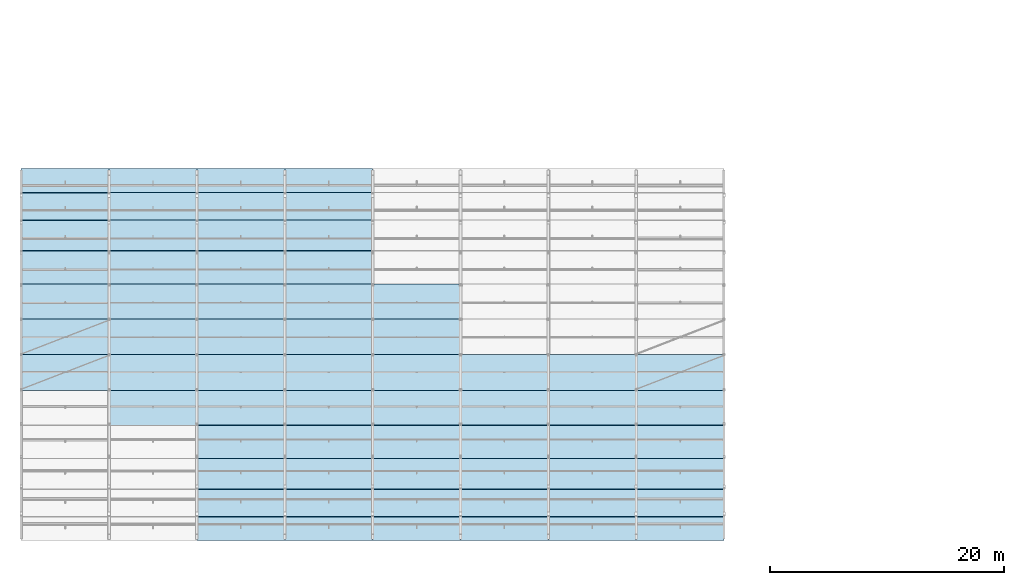
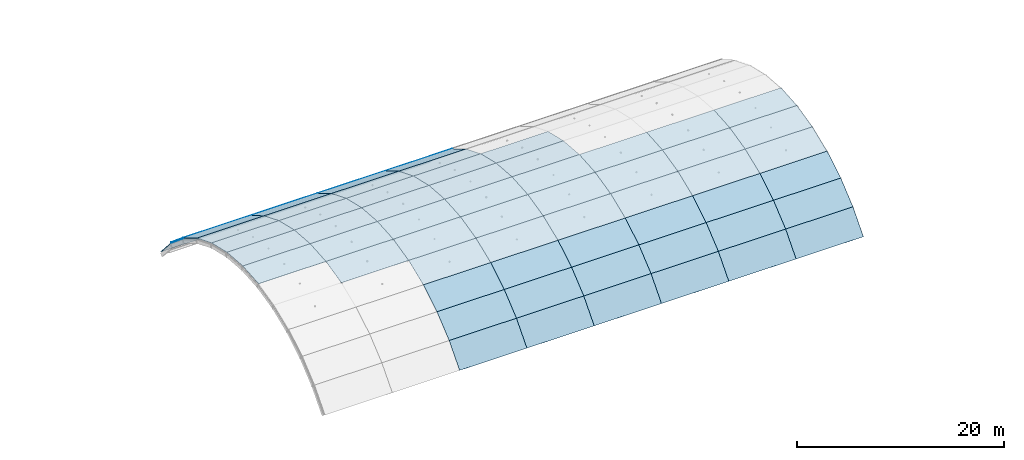
# One storey, part 42 of 77: 65 plates.
"""IFC4 building model written with IfcOpenShell, lengths in metres."""

from ifc_helpers import new_model, si_unit, direction, frame, origin, place, context, subcontext, project, spatial, polyline, outline, extrude, material, layer, layer_set, type_object, element, save


model = new_model("IFC4")

# Units and contexts
model_context = context("Model", 3, precision=1e-05, world=origin(), true_north=direction((0.0, 1.0)))
body_context = subcontext(model_context, "Body", "Model", "MODEL_VIEW")
ifc_project = project(units=[si_unit("LENGTHUNIT", "METRE"), si_unit("AREAUNIT", "SQUARE_METRE"), si_unit("VOLUMEUNIT", "CUBIC_METRE"), si_unit("PLANEANGLEUNIT", "RADIAN"), si_unit("MASSUNIT", "GRAM", prefix="KILO")], contexts=[model_context])

# Site, building, storey
site_placement = place(None, origin())
site = spatial("IfcSite", under=ifc_project, at=site_placement, CompositionType="ELEMENT")
building_placement = place(site_placement, origin())
building = spatial("IfcBuilding", under=site, at=building_placement, Name="Yukiwa Park Conservatory and Herbarium", CompositionType="ELEMENT")
storey_placement = place(building_placement, frame((0.0, 0.0, 13.199951171875)))
storey = spatial("IfcBuildingStorey", under=building, at=storey_placement, Name="L03", CompositionType="ELEMENT", Elevation=13.199951171875)

# Plates
ifc_material_1 = material(Name="Laminated Tempered Safety Glass", Category="glass")
ifc_layer_1 = layer(ifc_material_1, 0.031982421875)
ifc_layer_set_1 = layer_set([ifc_layer_1], Name="Laminated Tempered Safety Glass")
plate_type_1 = type_object("IfcPlateType", Name="PL-VAULT-GLASS-32", PredefinedType="SHEET", material=ifc_layer_set_1)
plate_1_placement = place(storey_placement, frame((7.5, 9.564697265625, 2.999755859375), z_axis=(0.0, -0.229781150018, 0.973242324962), x_axis=(1.0, 0.0, 0.0)))
element("IfcPlate", 1, at=plate_1_placement, inside=storey, type_object=plate_type_1, Name="Conservatory Barrel Vault Glazed Roof Panel 2.5", PredefinedType="SHEET", context=body_context, shape_type="SweptSolid", body=[
    extrude(outline(polyline([(0.0, 0.0), (7.5, 0.0), (7.5, 3.0631643275406226), (0.0, 3.0631643275406226), (0.0, 0.0)])), origin(), (0.0, 0.0, -1.0), 0.031982421875),
])
plate_2_placement = place(storey_placement, frame((7.5, 12.5458984375, 3.70361328125), z_axis=(0.0, -0.077147486921, 0.997019691512), x_axis=(1.0, 0.0, 0.0)))
element("IfcPlate", 2, at=plate_2_placement, inside=storey, type_object=plate_type_1, Name="Conservatory Barrel Vault Glazed Roof Panel 2.6", PredefinedType="SHEET", context=body_context, shape_type="SweptSolid", body=[
    extrude(outline(polyline([(0.0, 0.0), (7.5, 0.0), (7.5, 3.063328883825425), (0.0, 3.063328883825425), (0.0, 0.0)])), origin(), (0.0, 0.0, -1.0), 0.031982421875),
])
plate_3_placement = place(storey_placement, frame((7.5, 15.60009765625, 3.93994140625), z_axis=(0.0, 0.077153617569, 0.997019217115), x_axis=(1.0, 0.0, 0.0)))
element("IfcPlate", 3, at=plate_3_placement, inside=storey, type_object=plate_type_1, Name="Conservatory Barrel Vault Glazed Roof Panel 2.7", PredefinedType="SHEET", context=body_context, shape_type="SweptSolid", body=[
    extrude(outline(polyline([(0.0, 0.0), (7.5, 0.0), (7.5, 3.0630854708727098), (0.0, 3.0630854708727098), (0.0, 0.0)])), origin(), (0.0, 0.0, -1.0), 0.031982421875),
])
plate_4_placement = place(storey_placement, frame((7.5, 18.654052734375, 3.70361328125), z_axis=(0.0, 0.229781150018, 0.973242324962), x_axis=(1.0, 0.0, 0.0)))
element("IfcPlate", 4, at=plate_4_placement, inside=storey, type_object=plate_type_1, Name="Conservatory Barrel Vault Glazed Roof Panel 2.8", PredefinedType="SHEET", context=body_context, shape_type="SweptSolid", body=[
    extrude(outline(polyline([(0.0, 0.0), (7.5, 0.0), (7.5, 3.0631643275406226), (0.0, 3.0631643275406226), (0.0, 0.0)])), origin(), (0.0, 0.0, -1.0), 0.031982421875),
])
plate_5_placement = place(storey_placement, frame((7.5, 21.63525390625, 2.999755859375), z_axis=(0.0, 0.376825946755, 0.926284084853), x_axis=(1.0, 0.0, 0.0)))
element("IfcPlate", 5, at=plate_5_placement, inside=storey, type_object=plate_type_1, Name="Conservatory Barrel Vault Glazed Roof Panel 2.9", PredefinedType="SHEET", context=body_context, shape_type="SweptSolid", body=[
    extrude(outline(polyline([(0.0, 0.0), (7.5, 0.0), (7.5, 3.063209646098804), (0.0, 3.063209646098804), (0.0, 0.0)])), origin(), (0.0, 0.0, -1.0), 0.031982421875),
])
plate_6_placement = place(storey_placement, frame((7.5, 24.47265625, 1.845458984375), z_axis=(0.0, 0.514929340992, 0.857232625246), x_axis=(1.0, 0.0, 0.0)))
element("IfcPlate", 6, at=plate_6_placement, inside=storey, type_object=plate_type_1, Name="Conservatory Barrel Vault Glazed Roof Panel 2.10", PredefinedType="SHEET", context=body_context, shape_type="SweptSolid", body=[
    extrude(outline(polyline([(0.0, 0.0), (7.5, 0.0), (7.5, 3.063318503244994), (0.0, 3.063318503244994), (0.0, 0.0)])), origin(), (0.0, 0.0, -1.0), 0.031982421875),
])
plate_7_placement = place(storey_placement, frame((7.5, 27.0986328125, 0.26806640625), z_axis=(0.0, 0.640725169959, 0.767770314991), x_axis=(1.0, 0.0, 0.0)))
element("IfcPlate", 7, at=plate_7_placement, inside=storey, type_object=plate_type_1, Name="Conservatory Barrel Vault Glazed Roof Panel 2.11", PredefinedType="SHEET", context=body_context, shape_type="SweptSolid", body=[
    extrude(outline(polyline([(0.0, 0.0), (7.5, 0.0), (7.5, 3.0631643275406226), (0.0, 3.0631643275406226), (0.0, 0.0)])), origin(), (0.0, 0.0, -1.0), 0.031982421875),
])
for number, where, z_axis, x_axis, name in (
    (8, (7.5, 29.450439453125, -1.694580078125), (0.0, 0.75130141371, 0.659959230375), (1.0, 0.0, 0.0), "Conservatory Barrel Vault Glazed Roof Panel 2.12"),
    (9, (15.0, -0.27197265625, -3.995849609375), (0.0, -0.75130141371, 0.659959230375), (1.0, 0.0, 0.0), "Conservatory Barrel Vault Glazed Roof Panel 3.1"),
):
    element("IfcPlate", number, at=place(storey_placement, frame(where, z_axis=z_axis, x_axis=x_axis)), inside=storey, type_object=plate_type_1, Name=name, PredefinedType="SHEET", context=body_context, shape_type="SweptSolid", body=[
        extrude(outline(polyline([(0.0, 0.0), (7.5, 0.0), (7.5, 3.0630443244962575), (0.0, 3.0630443244962575), (0.0, 0.0)])), origin(), (0.0, 0.0, -1.0), 0.031982421875),
    ])
plate_8_placement = place(storey_placement, frame((15.0, 1.74951171875, -1.694580078125), z_axis=(0.0, -0.640725169959, 0.767770314991), x_axis=(1.0, 0.0, 0.0)))
element("IfcPlate", 10, at=plate_8_placement, inside=storey, type_object=plate_type_1, Name="Conservatory Barrel Vault Glazed Roof Panel 3.2", PredefinedType="SHEET", context=body_context, shape_type="SweptSolid", body=[
    extrude(outline(polyline([(0.0, 0.0), (7.5, 0.0), (7.5, 3.0631643275406226), (0.0, 3.0631643275406226), (0.0, 0.0)])), origin(), (0.0, 0.0, -1.0), 0.031982421875),
])
plate_9_placement = place(storey_placement, frame((15.0, 4.101318359375, 0.26806640625), z_axis=(0.0, -0.514929340992, 0.857232625246), x_axis=(1.0, 0.0, 0.0)))
element("IfcPlate", 11, at=plate_9_placement, inside=storey, type_object=plate_type_1, Name="Conservatory Barrel Vault Glazed Roof Panel 3.3", PredefinedType="SHEET", context=body_context, shape_type="SweptSolid", body=[
    extrude(outline(polyline([(0.0, 0.0), (7.5, 0.0), (7.5, 3.063318503244994), (0.0, 3.063318503244994), (0.0, 0.0)])), origin(), (0.0, 0.0, -1.0), 0.031982421875),
])
plate_10_placement = place(storey_placement, frame((15.0, 6.727294921875, 1.845458984375), z_axis=(0.0, -0.376825946755, 0.926284084853), x_axis=(1.0, 0.0, 0.0)))
element("IfcPlate", 12, at=plate_10_placement, inside=storey, type_object=plate_type_1, Name="Conservatory Barrel Vault Glazed Roof Panel 3.4", PredefinedType="SHEET", context=body_context, shape_type="SweptSolid", body=[
    extrude(outline(polyline([(0.0, 0.0), (7.5, 0.0), (7.5, 3.063209646098804), (0.0, 3.063209646098804), (0.0, 0.0)])), origin(), (0.0, 0.0, -1.0), 0.031982421875),
])
plate_11_placement = place(storey_placement, frame((15.0, 9.564697265625, 2.999755859375), z_axis=(0.0, -0.229781150018, 0.973242324962), x_axis=(1.0, 0.0, 0.0)))
element("IfcPlate", 13, at=plate_11_placement, inside=storey, type_object=plate_type_1, Name="Conservatory Barrel Vault Glazed Roof Panel 3.5", PredefinedType="SHEET", context=body_context, shape_type="SweptSolid", body=[
    extrude(outline(polyline([(0.0, 0.0), (7.5, 0.0), (7.5, 3.0631643275406226), (0.0, 3.0631643275406226), (0.0, 0.0)])), origin(), (0.0, 0.0, -1.0), 0.031982421875),
])
plate_12_placement = place(storey_placement, frame((15.0, 12.5458984375, 3.70361328125), z_axis=(0.0, -0.077147486921, 0.997019691512), x_axis=(1.0, 0.0, 0.0)))
element("IfcPlate", 14, at=plate_12_placement, inside=storey, type_object=plate_type_1, Name="Conservatory Barrel Vault Glazed Roof Panel 3.6", PredefinedType="SHEET", context=body_context, shape_type="SweptSolid", body=[
    extrude(outline(polyline([(0.0, 0.0), (7.5, 0.0), (7.5, 3.063328883825425), (0.0, 3.063328883825425), (0.0, 0.0)])), origin(), (0.0, 0.0, -1.0), 0.031982421875),
])
plate_13_placement = place(storey_placement, frame((15.0, 15.60009765625, 3.93994140625), z_axis=(0.0, 0.077153617569, 0.997019217115), x_axis=(1.0, 0.0, 0.0)))
element("IfcPlate", 15, at=plate_13_placement, inside=storey, type_object=plate_type_1, Name="Conservatory Barrel Vault Glazed Roof Panel 3.7", PredefinedType="SHEET", context=body_context, shape_type="SweptSolid", body=[
    extrude(outline(polyline([(0.0, 0.0), (7.5, 0.0), (7.5, 3.0630854708727098), (0.0, 3.0630854708727098), (0.0, 0.0)])), origin(), (0.0, 0.0, -1.0), 0.031982421875),
])
plate_14_placement = place(storey_placement, frame((15.0, 18.654052734375, 3.70361328125), z_axis=(0.0, 0.229781150018, 0.973242324962), x_axis=(1.0, 0.0, 0.0)))
element("IfcPlate", 16, at=plate_14_placement, inside=storey, type_object=plate_type_1, Name="Conservatory Barrel Vault Glazed Roof Panel 3.8", PredefinedType="SHEET", context=body_context, shape_type="SweptSolid", body=[
    extrude(outline(polyline([(0.0, 0.0), (7.5, 0.0), (7.5, 3.0631643275406226), (0.0, 3.0631643275406226), (0.0, 0.0)])), origin(), (0.0, 0.0, -1.0), 0.031982421875),
])
plate_15_placement = place(storey_placement, frame((15.0, 21.63525390625, 2.999755859375), z_axis=(0.0, 0.376825946755, 0.926284084853), x_axis=(1.0, 0.0, 0.0)))
element("IfcPlate", 17, at=plate_15_placement, inside=storey, type_object=plate_type_1, Name="Conservatory Barrel Vault Glazed Roof Panel 3.9", PredefinedType="SHEET", context=body_context, shape_type="SweptSolid", body=[
    extrude(outline(polyline([(0.0, 0.0), (7.5, 0.0), (7.5, 3.063209646098804), (0.0, 3.063209646098804), (0.0, 0.0)])), origin(), (0.0, 0.0, -1.0), 0.031982421875),
])
plate_16_placement = place(storey_placement, frame((15.0, 24.47265625, 1.845458984375), z_axis=(0.0, 0.514929340992, 0.857232625246), x_axis=(1.0, 0.0, 0.0)))
element("IfcPlate", 18, at=plate_16_placement, inside=storey, type_object=plate_type_1, Name="Conservatory Barrel Vault Glazed Roof Panel 3.10", PredefinedType="SHEET", context=body_context, shape_type="SweptSolid", body=[
    extrude(outline(polyline([(0.0, 0.0), (7.5, 0.0), (7.5, 3.063318503244994), (0.0, 3.063318503244994), (0.0, 0.0)])), origin(), (0.0, 0.0, -1.0), 0.031982421875),
])
plate_17_placement = place(storey_placement, frame((15.0, 27.0986328125, 0.26806640625), z_axis=(0.0, 0.640725169959, 0.767770314991), x_axis=(1.0, 0.0, 0.0)))
element("IfcPlate", 19, at=plate_17_placement, inside=storey, type_object=plate_type_1, Name="Conservatory Barrel Vault Glazed Roof Panel 3.11", PredefinedType="SHEET", context=body_context, shape_type="SweptSolid", body=[
    extrude(outline(polyline([(0.0, 0.0), (7.5, 0.0), (7.5, 3.0631643275406226), (0.0, 3.0631643275406226), (0.0, 0.0)])), origin(), (0.0, 0.0, -1.0), 0.031982421875),
])
for number, where, z_axis, x_axis, name in (
    (20, (15.0, 29.450439453125, -1.694580078125), (0.0, 0.75130141371, 0.659959230375), (1.0, 0.0, 0.0), "Conservatory Barrel Vault Glazed Roof Panel 3.12"),
    (21, (22.5, -0.27197265625, -3.995849609375), (0.0, -0.75130141371, 0.659959230375), (1.0, 0.0, 0.0), "Conservatory Barrel Vault Glazed Roof Panel 4.1"),
):
    element("IfcPlate", number, at=place(storey_placement, frame(where, z_axis=z_axis, x_axis=x_axis)), inside=storey, type_object=plate_type_1, Name=name, PredefinedType="SHEET", context=body_context, shape_type="SweptSolid", body=[
        extrude(outline(polyline([(0.0, 0.0), (7.5, 0.0), (7.5, 3.0630443244962575), (0.0, 3.0630443244962575), (0.0, 0.0)])), origin(), (0.0, 0.0, -1.0), 0.031982421875),
    ])
plate_18_placement = place(storey_placement, frame((22.5, 1.74951171875, -1.694580078125), z_axis=(0.0, -0.640725169959, 0.767770314991), x_axis=(1.0, 0.0, 0.0)))
element("IfcPlate", 22, at=plate_18_placement, inside=storey, type_object=plate_type_1, Name="Conservatory Barrel Vault Glazed Roof Panel 4.2", PredefinedType="SHEET", context=body_context, shape_type="SweptSolid", body=[
    extrude(outline(polyline([(0.0, 0.0), (7.5, 0.0), (7.5, 3.0631643275406226), (0.0, 3.0631643275406226), (0.0, 0.0)])), origin(), (0.0, 0.0, -1.0), 0.031982421875),
])
plate_19_placement = place(storey_placement, frame((22.5, 4.101318359375, 0.26806640625), z_axis=(0.0, -0.514929340992, 0.857232625246), x_axis=(1.0, 0.0, 0.0)))
element("IfcPlate", 23, at=plate_19_placement, inside=storey, type_object=plate_type_1, Name="Conservatory Barrel Vault Glazed Roof Panel 4.3", PredefinedType="SHEET", context=body_context, shape_type="SweptSolid", body=[
    extrude(outline(polyline([(0.0, 0.0), (7.5, 0.0), (7.5, 3.063318503244994), (0.0, 3.063318503244994), (0.0, 0.0)])), origin(), (0.0, 0.0, -1.0), 0.031982421875),
])
plate_20_placement = place(storey_placement, frame((22.5, 6.727294921875, 1.845458984375), z_axis=(0.0, -0.376825946755, 0.926284084853), x_axis=(1.0, 0.0, 0.0)))
element("IfcPlate", 24, at=plate_20_placement, inside=storey, type_object=plate_type_1, Name="Conservatory Barrel Vault Glazed Roof Panel 4.4", PredefinedType="SHEET", context=body_context, shape_type="SweptSolid", body=[
    extrude(outline(polyline([(0.0, 0.0), (7.5, 0.0), (7.5, 3.063209646098804), (0.0, 3.063209646098804), (0.0, 0.0)])), origin(), (0.0, 0.0, -1.0), 0.031982421875),
])
plate_21_placement = place(storey_placement, frame((22.5, 9.564697265625, 2.999755859375), z_axis=(0.0, -0.229781150018, 0.973242324962), x_axis=(1.0, 0.0, 0.0)))
element("IfcPlate", 25, at=plate_21_placement, inside=storey, type_object=plate_type_1, Name="Conservatory Barrel Vault Glazed Roof Panel 4.5", PredefinedType="SHEET", context=body_context, shape_type="SweptSolid", body=[
    extrude(outline(polyline([(0.0, 0.0), (7.5, 0.0), (7.5, 3.0631643275406226), (0.0, 3.0631643275406226), (0.0, 0.0)])), origin(), (0.0, 0.0, -1.0), 0.031982421875),
])
plate_22_placement = place(storey_placement, frame((22.5, 12.5458984375, 3.70361328125), z_axis=(0.0, -0.077147486921, 0.997019691512), x_axis=(1.0, 0.0, 0.0)))
element("IfcPlate", 26, at=plate_22_placement, inside=storey, type_object=plate_type_1, Name="Conservatory Barrel Vault Glazed Roof Panel 4.6", PredefinedType="SHEET", context=body_context, shape_type="SweptSolid", body=[
    extrude(outline(polyline([(0.0, 0.0), (7.5, 0.0), (7.5, 3.063328883825425), (0.0, 3.063328883825425), (0.0, 0.0)])), origin(), (0.0, 0.0, -1.0), 0.031982421875),
])
plate_23_placement = place(storey_placement, frame((22.5, 15.60009765625, 3.93994140625), z_axis=(0.0, 0.077153617569, 0.997019217115), x_axis=(1.0, 0.0, 0.0)))
element("IfcPlate", 27, at=plate_23_placement, inside=storey, type_object=plate_type_1, Name="Conservatory Barrel Vault Glazed Roof Panel 4.7", PredefinedType="SHEET", context=body_context, shape_type="SweptSolid", body=[
    extrude(outline(polyline([(0.0, 0.0), (7.5, 0.0), (7.5, 3.0630854708727098), (0.0, 3.0630854708727098), (0.0, 0.0)])), origin(), (0.0, 0.0, -1.0), 0.031982421875),
])
plate_24_placement = place(storey_placement, frame((22.5, 18.654052734375, 3.70361328125), z_axis=(0.0, 0.229781150018, 0.973242324962), x_axis=(1.0, 0.0, 0.0)))
element("IfcPlate", 28, at=plate_24_placement, inside=storey, type_object=plate_type_1, Name="Conservatory Barrel Vault Glazed Roof Panel 4.8", PredefinedType="SHEET", context=body_context, shape_type="SweptSolid", body=[
    extrude(outline(polyline([(0.0, 0.0), (7.5, 0.0), (7.5, 3.0631643275406226), (0.0, 3.0631643275406226), (0.0, 0.0)])), origin(), (0.0, 0.0, -1.0), 0.031982421875),
])
plate_25_placement = place(storey_placement, frame((22.5, 21.63525390625, 2.999755859375), z_axis=(0.0, 0.376825946755, 0.926284084853), x_axis=(1.0, 0.0, 0.0)))
element("IfcPlate", 29, at=plate_25_placement, inside=storey, type_object=plate_type_1, Name="Conservatory Barrel Vault Glazed Roof Panel 4.9", PredefinedType="SHEET", context=body_context, shape_type="SweptSolid", body=[
    extrude(outline(polyline([(0.0, 0.0), (7.5, 0.0), (7.5, 3.063209646098804), (0.0, 3.063209646098804), (0.0, 0.0)])), origin(), (0.0, 0.0, -1.0), 0.031982421875),
])
plate_26_placement = place(storey_placement, frame((22.5, 24.47265625, 1.845458984375), z_axis=(0.0, 0.514929340992, 0.857232625246), x_axis=(1.0, 0.0, 0.0)))
element("IfcPlate", 30, at=plate_26_placement, inside=storey, type_object=plate_type_1, Name="Conservatory Barrel Vault Glazed Roof Panel 4.10", PredefinedType="SHEET", context=body_context, shape_type="SweptSolid", body=[
    extrude(outline(polyline([(0.0, 0.0), (7.5, 0.0), (7.5, 3.063318503244994), (0.0, 3.063318503244994), (0.0, 0.0)])), origin(), (0.0, 0.0, -1.0), 0.031982421875),
])
plate_27_placement = place(storey_placement, frame((22.5, 27.0986328125, 0.26806640625), z_axis=(0.0, 0.640725169959, 0.767770314991), x_axis=(1.0, 0.0, 0.0)))
element("IfcPlate", 31, at=plate_27_placement, inside=storey, type_object=plate_type_1, Name="Conservatory Barrel Vault Glazed Roof Panel 4.11", PredefinedType="SHEET", context=body_context, shape_type="SweptSolid", body=[
    extrude(outline(polyline([(0.0, 0.0), (7.5, 0.0), (7.5, 3.0631643275406226), (0.0, 3.0631643275406226), (0.0, 0.0)])), origin(), (0.0, 0.0, -1.0), 0.031982421875),
])
for number, where, z_axis, x_axis, name in (
    (32, (22.5, 29.450439453125, -1.694580078125), (0.0, 0.75130141371, 0.659959230375), (1.0, 0.0, 0.0), "Conservatory Barrel Vault Glazed Roof Panel 4.12"),
    (33, (30.0, -0.27197265625, -3.995849609375), (0.0, -0.75130141371, 0.659959230375), (1.0, 0.0, 0.0), "Conservatory Barrel Vault Glazed Roof Panel 5.1"),
):
    element("IfcPlate", number, at=place(storey_placement, frame(where, z_axis=z_axis, x_axis=x_axis)), inside=storey, type_object=plate_type_1, Name=name, PredefinedType="SHEET", context=body_context, shape_type="SweptSolid", body=[
        extrude(outline(polyline([(0.0, 0.0), (7.5, 0.0), (7.5, 3.0630443244962575), (0.0, 3.0630443244962575), (0.0, 0.0)])), origin(), (0.0, 0.0, -1.0), 0.031982421875),
    ])
plate_28_placement = place(storey_placement, frame((30.0, 1.74951171875, -1.694580078125), z_axis=(0.0, -0.640725169959, 0.767770314991), x_axis=(1.0, 0.0, 0.0)))
element("IfcPlate", 34, at=plate_28_placement, inside=storey, type_object=plate_type_1, Name="Conservatory Barrel Vault Glazed Roof Panel 5.2", PredefinedType="SHEET", context=body_context, shape_type="SweptSolid", body=[
    extrude(outline(polyline([(0.0, 0.0), (7.5, 0.0), (7.5, 3.0631643275406226), (0.0, 3.0631643275406226), (0.0, 0.0)])), origin(), (0.0, 0.0, -1.0), 0.031982421875),
])
plate_29_placement = place(storey_placement, frame((30.0, 4.101318359375, 0.26806640625), z_axis=(0.0, -0.514929340992, 0.857232625246), x_axis=(1.0, 0.0, 0.0)))
element("IfcPlate", 35, at=plate_29_placement, inside=storey, type_object=plate_type_1, Name="Conservatory Barrel Vault Glazed Roof Panel 5.3", PredefinedType="SHEET", context=body_context, shape_type="SweptSolid", body=[
    extrude(outline(polyline([(0.0, 0.0), (7.5, 0.0), (7.5, 3.063318503244994), (0.0, 3.063318503244994), (0.0, 0.0)])), origin(), (0.0, 0.0, -1.0), 0.031982421875),
])
plate_30_placement = place(storey_placement, frame((30.0, 6.727294921875, 1.845458984375), z_axis=(0.0, -0.376825946755, 0.926284084853), x_axis=(1.0, 0.0, 0.0)))
element("IfcPlate", 36, at=plate_30_placement, inside=storey, type_object=plate_type_1, Name="Conservatory Barrel Vault Glazed Roof Panel 5.4", PredefinedType="SHEET", context=body_context, shape_type="SweptSolid", body=[
    extrude(outline(polyline([(0.0, 0.0), (7.5, 0.0), (7.5, 3.063209646098804), (0.0, 3.063209646098804), (0.0, 0.0)])), origin(), (0.0, 0.0, -1.0), 0.031982421875),
])
plate_31_placement = place(storey_placement, frame((30.0, 9.564697265625, 2.999755859375), z_axis=(0.0, -0.229781150018, 0.973242324962), x_axis=(1.0, 0.0, 0.0)))
element("IfcPlate", 37, at=plate_31_placement, inside=storey, type_object=plate_type_1, Name="Conservatory Barrel Vault Glazed Roof Panel 5.5", PredefinedType="SHEET", context=body_context, shape_type="SweptSolid", body=[
    extrude(outline(polyline([(0.0, 0.0), (7.5, 0.0), (7.5, 3.0631643275406226), (0.0, 3.0631643275406226), (0.0, 0.0)])), origin(), (0.0, 0.0, -1.0), 0.031982421875),
])
plate_32_placement = place(storey_placement, frame((30.0, 12.5458984375, 3.70361328125), z_axis=(0.0, -0.077147486921, 0.997019691512), x_axis=(1.0, 0.0, 0.0)))
element("IfcPlate", 38, at=plate_32_placement, inside=storey, type_object=plate_type_1, Name="Conservatory Barrel Vault Glazed Roof Panel 5.6", PredefinedType="SHEET", context=body_context, shape_type="SweptSolid", body=[
    extrude(outline(polyline([(0.0, 0.0), (7.5, 0.0), (7.5, 3.063328883825425), (0.0, 3.063328883825425), (0.0, 0.0)])), origin(), (0.0, 0.0, -1.0), 0.031982421875),
])
plate_33_placement = place(storey_placement, frame((30.0, 15.60009765625, 3.93994140625), z_axis=(0.0, 0.077153617569, 0.997019217115), x_axis=(1.0, 0.0, 0.0)))
element("IfcPlate", 39, at=plate_33_placement, inside=storey, type_object=plate_type_1, Name="Conservatory Barrel Vault Glazed Roof Panel 5.7", PredefinedType="SHEET", context=body_context, shape_type="SweptSolid", body=[
    extrude(outline(polyline([(0.0, 0.0), (7.5, 0.0), (7.5, 3.0630854708727098), (0.0, 3.0630854708727098), (0.0, 0.0)])), origin(), (0.0, 0.0, -1.0), 0.031982421875),
])
plate_34_placement = place(storey_placement, frame((30.0, 18.654052734375, 3.70361328125), z_axis=(0.0, 0.229781150018, 0.973242324962), x_axis=(1.0, 0.0, 0.0)))
element("IfcPlate", 40, at=plate_34_placement, inside=storey, type_object=plate_type_1, Name="Conservatory Barrel Vault Glazed Roof Panel 5.8", PredefinedType="SHEET", context=body_context, shape_type="SweptSolid", body=[
    extrude(outline(polyline([(0.0, 0.0), (7.5, 0.0), (7.5, 3.0631643275406226), (0.0, 3.0631643275406226), (0.0, 0.0)])), origin(), (0.0, 0.0, -1.0), 0.031982421875),
])
plate_35_placement = place(storey_placement, frame((37.5, -0.27197265625, -3.995849609375), z_axis=(0.0, -0.75130141371, 0.659959230375), x_axis=(1.0, 0.0, 0.0)))
element("IfcPlate", 41, at=plate_35_placement, inside=storey, type_object=plate_type_1, Name="Conservatory Barrel Vault Glazed Roof Panel 6.1", PredefinedType="SHEET", context=body_context, shape_type="SweptSolid", body=[
    extrude(outline(polyline([(0.0, 0.0), (7.5, 0.0), (7.5, 3.0630443244962575), (0.0, 3.0630443244962575), (0.0, 0.0)])), origin(), (0.0, 0.0, -1.0), 0.031982421875),
])
plate_36_placement = place(storey_placement, frame((37.5, 1.74951171875, -1.694580078125), z_axis=(0.0, -0.640725169959, 0.767770314991), x_axis=(1.0, 0.0, 0.0)))
element("IfcPlate", 42, at=plate_36_placement, inside=storey, type_object=plate_type_1, Name="Conservatory Barrel Vault Glazed Roof Panel 6.2", PredefinedType="SHEET", context=body_context, shape_type="SweptSolid", body=[
    extrude(outline(polyline([(0.0, 0.0), (7.5, 0.0), (7.5, 3.0631643275406226), (0.0, 3.0631643275406226), (0.0, 0.0)])), origin(), (0.0, 0.0, -1.0), 0.031982421875),
])
plate_37_placement = place(storey_placement, frame((37.5, 4.101318359375, 0.26806640625), z_axis=(0.0, -0.514929340992, 0.857232625246), x_axis=(1.0, 0.0, 0.0)))
element("IfcPlate", 43, at=plate_37_placement, inside=storey, type_object=plate_type_1, Name="Conservatory Barrel Vault Glazed Roof Panel 6.3", PredefinedType="SHEET", context=body_context, shape_type="SweptSolid", body=[
    extrude(outline(polyline([(0.0, 0.0), (7.5, 0.0), (7.5, 3.063318503244994), (0.0, 3.063318503244994), (0.0, 0.0)])), origin(), (0.0, 0.0, -1.0), 0.031982421875),
])
plate_38_placement = place(storey_placement, frame((37.5, 6.727294921875, 1.845458984375), z_axis=(0.0, -0.376825946755, 0.926284084853), x_axis=(1.0, 0.0, 0.0)))
element("IfcPlate", 44, at=plate_38_placement, inside=storey, type_object=plate_type_1, Name="Conservatory Barrel Vault Glazed Roof Panel 6.4", PredefinedType="SHEET", context=body_context, shape_type="SweptSolid", body=[
    extrude(outline(polyline([(0.0, 0.0), (7.5, 0.0), (7.5, 3.063209646098804), (0.0, 3.063209646098804), (0.0, 0.0)])), origin(), (0.0, 0.0, -1.0), 0.031982421875),
])
plate_39_placement = place(storey_placement, frame((37.5, 9.564697265625, 2.999755859375), z_axis=(0.0, -0.229781150018, 0.973242324962), x_axis=(1.0, 0.0, 0.0)))
element("IfcPlate", 45, at=plate_39_placement, inside=storey, type_object=plate_type_1, Name="Conservatory Barrel Vault Glazed Roof Panel 6.5", PredefinedType="SHEET", context=body_context, shape_type="SweptSolid", body=[
    extrude(outline(polyline([(0.0, 0.0), (7.5, 0.0), (7.5, 3.0631643275406226), (0.0, 3.0631643275406226), (0.0, 0.0)])), origin(), (0.0, 0.0, -1.0), 0.031982421875),
])
plate_40_placement = place(storey_placement, frame((37.5, 12.5458984375, 3.70361328125), z_axis=(0.0, -0.077147486921, 0.997019691512), x_axis=(1.0, 0.0, 0.0)))
element("IfcPlate", 46, at=plate_40_placement, inside=storey, type_object=plate_type_1, Name="Conservatory Barrel Vault Glazed Roof Panel 6.6", PredefinedType="SHEET", context=body_context, shape_type="SweptSolid", body=[
    extrude(outline(polyline([(0.0, 0.0), (7.5, 0.0), (7.5, 3.063328883825425), (0.0, 3.063328883825425), (0.0, 0.0)])), origin(), (0.0, 0.0, -1.0), 0.031982421875),
])
plate_41_placement = place(storey_placement, frame((45.0, -0.27197265625, -3.995849609375), z_axis=(0.0, -0.75130141371, 0.659959230375), x_axis=(1.0, 0.0, 0.0)))
element("IfcPlate", 47, at=plate_41_placement, inside=storey, type_object=plate_type_1, Name="Conservatory Barrel Vault Glazed Roof Panel 7.1", PredefinedType="SHEET", context=body_context, shape_type="SweptSolid", body=[
    extrude(outline(polyline([(0.0, 0.0), (7.5, 0.0), (7.5, 3.0630443244962575), (0.0, 3.0630443244962575), (0.0, 0.0)])), origin(), (0.0, 0.0, -1.0), 0.031982421875),
])
plate_42_placement = place(storey_placement, frame((45.0, 1.74951171875, -1.694580078125), z_axis=(0.0, -0.640725169959, 0.767770314991), x_axis=(1.0, 0.0, 0.0)))
element("IfcPlate", 48, at=plate_42_placement, inside=storey, type_object=plate_type_1, Name="Conservatory Barrel Vault Glazed Roof Panel 7.2", PredefinedType="SHEET", context=body_context, shape_type="SweptSolid", body=[
    extrude(outline(polyline([(0.0, 0.0), (7.5, 0.0), (7.5, 3.0631643275406226), (0.0, 3.0631643275406226), (0.0, 0.0)])), origin(), (0.0, 0.0, -1.0), 0.031982421875),
])
plate_43_placement = place(storey_placement, frame((45.0, 4.101318359375, 0.26806640625), z_axis=(0.0, -0.514929340992, 0.857232625246), x_axis=(1.0, 0.0, 0.0)))
element("IfcPlate", 49, at=plate_43_placement, inside=storey, type_object=plate_type_1, Name="Conservatory Barrel Vault Glazed Roof Panel 7.3", PredefinedType="SHEET", context=body_context, shape_type="SweptSolid", body=[
    extrude(outline(polyline([(0.0, 0.0), (7.5, 0.0), (7.5, 3.063318503244994), (0.0, 3.063318503244994), (0.0, 0.0)])), origin(), (0.0, 0.0, -1.0), 0.031982421875),
])
plate_44_placement = place(storey_placement, frame((45.0, 6.727294921875, 1.845458984375), z_axis=(0.0, -0.376825946755, 0.926284084853), x_axis=(1.0, 0.0, 0.0)))
element("IfcPlate", 50, at=plate_44_placement, inside=storey, type_object=plate_type_1, Name="Conservatory Barrel Vault Glazed Roof Panel 7.4", PredefinedType="SHEET", context=body_context, shape_type="SweptSolid", body=[
    extrude(outline(polyline([(0.0, 0.0), (7.5, 0.0), (7.5, 3.063209646098804), (0.0, 3.063209646098804), (0.0, 0.0)])), origin(), (0.0, 0.0, -1.0), 0.031982421875),
])
plate_45_placement = place(storey_placement, frame((45.0, 9.564697265625, 2.999755859375), z_axis=(0.0, -0.229781150018, 0.973242324962), x_axis=(1.0, 0.0, 0.0)))
element("IfcPlate", 51, at=plate_45_placement, inside=storey, type_object=plate_type_1, Name="Conservatory Barrel Vault Glazed Roof Panel 7.5", PredefinedType="SHEET", context=body_context, shape_type="SweptSolid", body=[
    extrude(outline(polyline([(0.0, 0.0), (7.5, 0.0), (7.5, 3.0631643275406226), (0.0, 3.0631643275406226), (0.0, 0.0)])), origin(), (0.0, 0.0, -1.0), 0.031982421875),
])
plate_46_placement = place(storey_placement, frame((45.0, 12.5458984375, 3.70361328125), z_axis=(0.0, -0.077147486921, 0.997019691512), x_axis=(1.0, 0.0, 0.0)))
element("IfcPlate", 52, at=plate_46_placement, inside=storey, type_object=plate_type_1, Name="Conservatory Barrel Vault Glazed Roof Panel 7.6", PredefinedType="SHEET", context=body_context, shape_type="SweptSolid", body=[
    extrude(outline(polyline([(0.0, 0.0), (7.5, 0.0), (7.5, 3.063328883825425), (0.0, 3.063328883825425), (0.0, 0.0)])), origin(), (0.0, 0.0, -1.0), 0.031982421875),
])
ifc_material_2 = material(Name="Laminated Tempered Safety Glass", Category="glass")
ifc_layer_2 = layer(ifc_material_2, 0.0419921875)
ifc_layer_set_2 = layer_set([ifc_layer_2], Name="Laminated Tempered Safety Glass")
plate_type_2 = type_object("IfcPlateType", Name="PL-VAULT-GLASS-42", PredefinedType="SHEET", material=ifc_layer_set_2)
plate_47_placement = place(storey_placement, frame((0.0, 12.5458984375, 3.70361328125), z_axis=(0.0, -0.077147486921, 0.997019691512), x_axis=(1.0, 0.0, 0.0)))
element("IfcPlate", 53, at=plate_47_placement, inside=storey, type_object=plate_type_2, Name="Conservatory Barrel Vault Glazed Roof Panel 1.6", PredefinedType="SHEET", context=body_context, shape_type="SweptSolid", body=[
    extrude(outline(polyline([(0.0, 0.0), (7.5, 0.0), (7.5, 3.063328883825425), (0.0, 3.063328883825425), (0.0, 0.0)])), origin(), (0.0, 0.0, -1.0), 0.0419921875),
])
plate_48_placement = place(storey_placement, frame((0.0, 15.60009765625, 3.93994140625), z_axis=(0.0, 0.077153617569, 0.997019217115), x_axis=(1.0, 0.0, 0.0)))
element("IfcPlate", 54, at=plate_48_placement, inside=storey, type_object=plate_type_2, Name="Conservatory Barrel Vault Glazed Roof Panel 1.7", PredefinedType="SHEET", context=body_context, shape_type="SweptSolid", body=[
    extrude(outline(polyline([(0.0, 0.0), (7.5, 0.0), (7.5, 3.0630854708727098), (0.0, 3.0630854708727098), (0.0, 0.0)])), origin(), (0.0, 0.0, -1.0), 0.0419921875),
])
plate_49_placement = place(storey_placement, frame((0.0, 18.654052734375, 3.70361328125), z_axis=(0.0, 0.229781150018, 0.973242324962), x_axis=(1.0, 0.0, 0.0)))
element("IfcPlate", 55, at=plate_49_placement, inside=storey, type_object=plate_type_2, Name="Conservatory Barrel Vault Glazed Roof Panel 1.8", PredefinedType="SHEET", context=body_context, shape_type="SweptSolid", body=[
    extrude(outline(polyline([(0.0, 0.0), (7.5, 0.0), (7.5, 3.0631643275406226), (0.0, 3.0631643275406226), (0.0, 0.0)])), origin(), (0.0, 0.0, -1.0), 0.0419921875),
])
plate_50_placement = place(storey_placement, frame((0.0, 21.63525390625, 2.999755859375), z_axis=(0.0, 0.376825946755, 0.926284084853), x_axis=(1.0, 0.0, 0.0)))
element("IfcPlate", 56, at=plate_50_placement, inside=storey, type_object=plate_type_2, Name="Conservatory Barrel Vault Glazed Roof Panel 1.9", PredefinedType="SHEET", context=body_context, shape_type="SweptSolid", body=[
    extrude(outline(polyline([(0.0, 0.0), (7.5, 0.0), (7.5, 3.063209646098804), (0.0, 3.063209646098804), (0.0, 0.0)])), origin(), (0.0, 0.0, -1.0), 0.0419921875),
])
plate_51_placement = place(storey_placement, frame((0.0, 24.47265625, 1.845458984375), z_axis=(0.0, 0.514929340992, 0.857232625246), x_axis=(1.0, 0.0, 0.0)))
element("IfcPlate", 57, at=plate_51_placement, inside=storey, type_object=plate_type_2, Name="Conservatory Barrel Vault Glazed Roof Panel 1.10", PredefinedType="SHEET", context=body_context, shape_type="SweptSolid", body=[
    extrude(outline(polyline([(0.0, 0.0), (7.5, 0.0), (7.5, 3.063318503244994), (0.0, 3.063318503244994), (0.0, 0.0)])), origin(), (0.0, 0.0, -1.0), 0.0419921875),
])
plate_52_placement = place(storey_placement, frame((0.0, 27.0986328125, 0.26806640625), z_axis=(0.0, 0.640725169959, 0.767770314991), x_axis=(1.0, 0.0, 0.0)))
element("IfcPlate", 58, at=plate_52_placement, inside=storey, type_object=plate_type_2, Name="Conservatory Barrel Vault Glazed Roof Panel 1.11", PredefinedType="SHEET", context=body_context, shape_type="SweptSolid", body=[
    extrude(outline(polyline([(0.0, 0.0), (7.5, 0.0), (7.5, 3.0631643275406226), (0.0, 3.0631643275406226), (0.0, 0.0)])), origin(), (0.0, 0.0, -1.0), 0.0419921875),
])
for number, where, z_axis, x_axis, name in (
    (59, (0.0, 29.450439453125, -1.694580078125), (0.0, 0.75130141371, 0.659959230375), (1.0, 0.0, 0.0), "Conservatory Barrel Vault Glazed Roof Panel 1.12"),
    (60, (52.5, -0.27197265625, -3.995849609375), (0.0, -0.75130141371, 0.659959230375), (1.0, 0.0, 0.0), "Conservatory Barrel Vault Glazed Roof Panel 8.1"),
):
    element("IfcPlate", number, at=place(storey_placement, frame(where, z_axis=z_axis, x_axis=x_axis)), inside=storey, type_object=plate_type_2, Name=name, PredefinedType="SHEET", context=body_context, shape_type="SweptSolid", body=[
        extrude(outline(polyline([(0.0, 0.0), (7.5, 0.0), (7.5, 3.0630443244962575), (0.0, 3.0630443244962575), (0.0, 0.0)])), origin(), (0.0, 0.0, -1.0), 0.0419921875),
    ])
plate_53_placement = place(storey_placement, frame((52.5, 1.74951171875, -1.694580078125), z_axis=(0.0, -0.640725169959, 0.767770314991), x_axis=(1.0, 0.0, 0.0)))
element("IfcPlate", 61, at=plate_53_placement, inside=storey, type_object=plate_type_2, Name="Conservatory Barrel Vault Glazed Roof Panel 8.2", PredefinedType="SHEET", context=body_context, shape_type="SweptSolid", body=[
    extrude(outline(polyline([(0.0, 0.0), (7.5, 0.0), (7.5, 3.0631643275406226), (0.0, 3.0631643275406226), (0.0, 0.0)])), origin(), (0.0, 0.0, -1.0), 0.0419921875),
])
plate_54_placement = place(storey_placement, frame((52.5, 4.101318359375, 0.26806640625), z_axis=(0.0, -0.514929340992, 0.857232625246), x_axis=(1.0, 0.0, 0.0)))
element("IfcPlate", 62, at=plate_54_placement, inside=storey, type_object=plate_type_2, Name="Conservatory Barrel Vault Glazed Roof Panel 8.3", PredefinedType="SHEET", context=body_context, shape_type="SweptSolid", body=[
    extrude(outline(polyline([(0.0, 0.0), (7.5, 0.0), (7.5, 3.063318503244994), (0.0, 3.063318503244994), (0.0, 0.0)])), origin(), (0.0, 0.0, -1.0), 0.0419921875),
])
plate_55_placement = place(storey_placement, frame((52.5, 6.727294921875, 1.845458984375), z_axis=(0.0, -0.376825946755, 0.926284084853), x_axis=(1.0, 0.0, 0.0)))
element("IfcPlate", 63, at=plate_55_placement, inside=storey, type_object=plate_type_2, Name="Conservatory Barrel Vault Glazed Roof Panel 8.4", PredefinedType="SHEET", context=body_context, shape_type="SweptSolid", body=[
    extrude(outline(polyline([(0.0, 0.0), (7.5, 0.0), (7.5, 3.063209646098804), (0.0, 3.063209646098804), (0.0, 0.0)])), origin(), (0.0, 0.0, -1.0), 0.0419921875),
])
plate_56_placement = place(storey_placement, frame((52.5, 9.564697265625, 2.999755859375), z_axis=(0.0, -0.229781150018, 0.973242324962), x_axis=(1.0, 0.0, 0.0)))
element("IfcPlate", 64, at=plate_56_placement, inside=storey, type_object=plate_type_2, Name="Conservatory Barrel Vault Glazed Roof Panel 8.5", PredefinedType="SHEET", context=body_context, shape_type="SweptSolid", body=[
    extrude(outline(polyline([(0.0, 0.0), (7.5, 0.0), (7.5, 3.0631643275406226), (0.0, 3.0631643275406226), (0.0, 0.0)])), origin(), (0.0, 0.0, -1.0), 0.0419921875),
])
plate_57_placement = place(storey_placement, frame((52.5, 12.5458984375, 3.70361328125), z_axis=(0.0, -0.077147486921, 0.997019691512), x_axis=(1.0, 0.0, 0.0)))
element("IfcPlate", 65, at=plate_57_placement, inside=storey, type_object=plate_type_2, Name="Conservatory Barrel Vault Glazed Roof Panel 8.6", PredefinedType="SHEET", context=body_context, shape_type="SweptSolid", body=[
    extrude(outline(polyline([(0.0, 0.0), (7.5, 0.0), (7.5, 3.063328883825425), (0.0, 3.063328883825425), (0.0, 0.0)])), origin(), (0.0, 0.0, -1.0), 0.0419921875),
])

save(model, "model.ifc")
